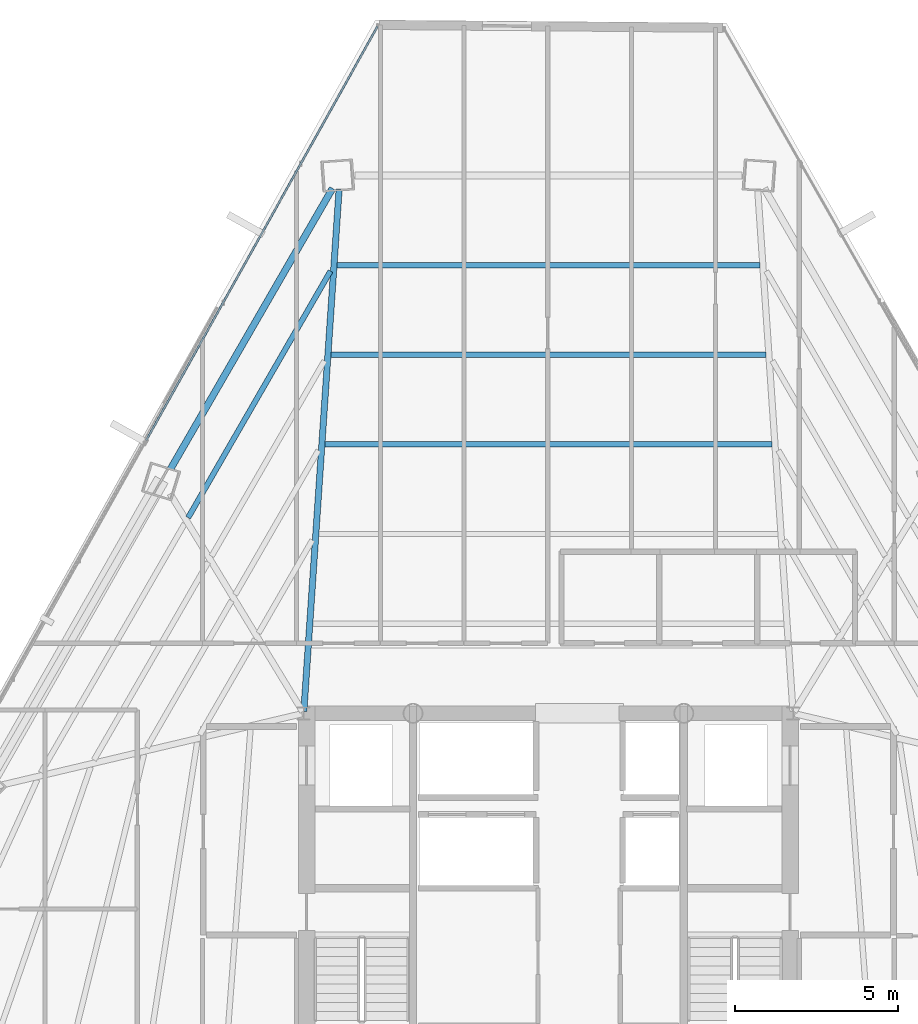
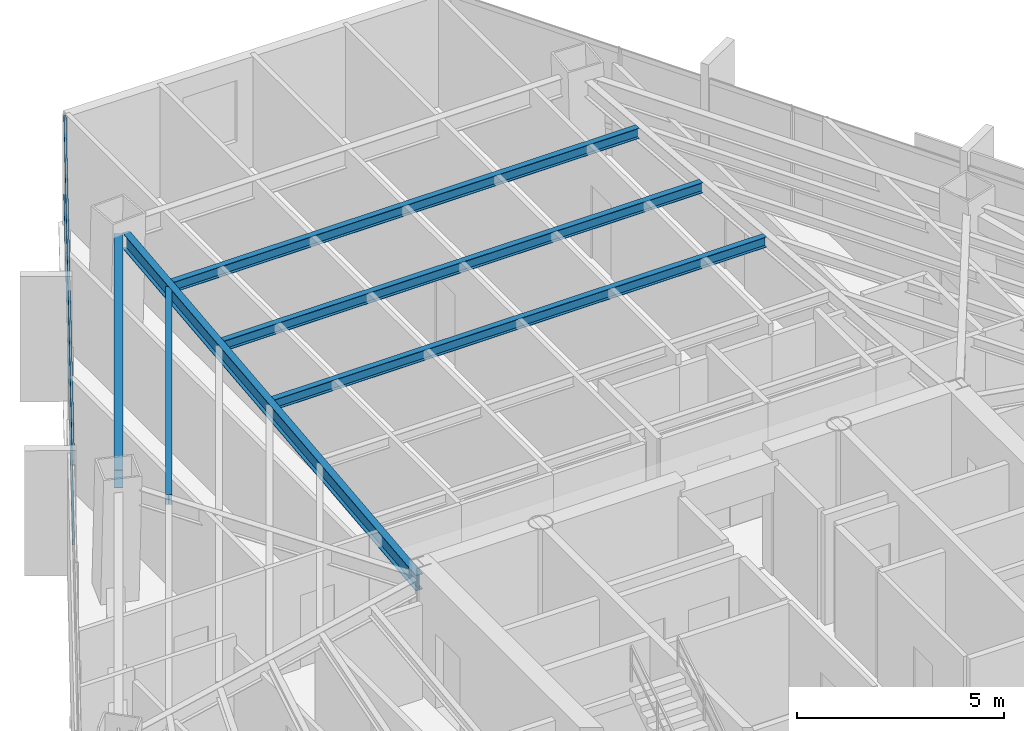
# One storey, part 27 of 40: 6 beams, 2 members, 1 element without a shape of its own.
"""IFC4 building model written with IfcOpenShell, lengths in metres."""

from ifc_helpers import new_model, si_unit, direction, frame, origin, origin_2d, place, context, subcontext, project, spatial, hollow_rectangle, i_section, extrude, source, transform, mapped, material, material_profile, profile_set, type_object, type_shapes, element, aggregate, save


model = new_model("IFC4")

# Units and contexts
model_context = context("Model", 3, precision=1e-05, world=origin(), true_north=direction((0.0, 1.0)))
body_context = subcontext(model_context, "Body", "Model", "MODEL_VIEW")
ifc_project = project(units=[si_unit("LENGTHUNIT", "METRE"), si_unit("AREAUNIT", "SQUARE_METRE"), si_unit("VOLUMEUNIT", "CUBIC_METRE"), si_unit("PLANEANGLEUNIT", "RADIAN"), si_unit("MASSUNIT", "GRAM", prefix="KILO")], contexts=[model_context])

# Site, building, storey
site_placement = place(None, origin())
site = spatial("IfcSite", under=ifc_project, at=site_placement, CompositionType="ELEMENT")
building_placement = place(site_placement, origin())
building = spatial("IfcBuilding", under=site, at=building_placement, Name="Caelisora Broadcast Tower", CompositionType="ELEMENT")
storey_placement = place(building_placement, frame((0.0, 0.0, 146.39990234375)))
storey = spatial("IfcBuildingStorey", under=building, at=storey_placement, Name="L38", CompositionType="ELEMENT", Elevation=146.39990234375)

# Beams
ifc_material_1 = material(Name="Steel Grade 350 (AS/NZS 3679.1)", Category="steel")
ifc_material_profile_1 = material_profile(ifc_material_1, i_section(OverallWidth=0.208984375, OverallDepth=0.532958984375, WebThickness=0.01025390625, FlangeThickness=0.015625, at=origin_2d()), Name="Steel Grade 350 (AS/NZS 3679.1)")
ifc_profile_set_1 = profile_set([ifc_material_profile_1], Name="Steel Grade 350 (AS/NZS 3679.1)")
beam_type_1 = type_object("IfcBeamType", Name="PG05", PredefinedType="BEAM", material=ifc_profile_set_1)
shared_shape_1 = source(origin(), body_context, "Body", "SweptSolid", [
    extrude(i_section(OverallWidth=0.208984375, OverallDepth=0.532958984375, WebThickness=0.01025390625, FlangeThickness=0.015625, at=origin_2d()), origin(), (0.0, 0.0, 1.0), 9.93408203125),
])
type_shapes(beam_type_1, [shared_shape_1])
beam_1_placement = place(storey_placement, frame((31.383544921875, 46.089111328125, 2.983642578125), z_axis=(-0.499995463244, -0.866028023066, 0.0), x_axis=(0.866028023066, -0.499995463244, 0.0)))
element("IfcBeam", 1, at=beam_1_placement, inside=storey, type_object=beam_type_1, Name="L38 beam PG05", PredefinedType="BEAM", context=body_context, shape_type="MappedRepresentation", body=[
    mapped(shared_shape_1, transform((0.0, 0.0, 0.0), scale=1.0)),
])
ifc_material_profile_2 = material_profile(ifc_material_1, i_section(OverallWidth=0.19091796875, OverallDepth=0.46044921875, WebThickness=0.010009765625, FlangeThickness=0.01611328125, at=origin_2d()), Name="Steel Grade 350 (AS/NZS 3679.1)")
ifc_profile_set_2 = profile_set([ifc_material_profile_2], Name="Steel Grade 350 (AS/NZS 3679.1)")
beam_type_2 = type_object("IfcBeamType", Name="PG06", PredefinedType="BEAM", material=ifc_profile_set_2)
shared_shape_2 = source(origin(), body_context, "Body", "SweptSolid", [
    extrude(i_section(OverallWidth=0.19091796875, OverallDepth=0.46044921875, WebThickness=0.010009765625, FlangeThickness=0.01611328125, at=origin_2d()), origin(), (0.0, 0.0, 1.0), 16.045166015625),
])
type_shapes(beam_type_2, [shared_shape_2])
beam_2_placement = place(storey_placement, frame((30.50390625, 30.059814453125, 3.02001953125), z_axis=(0.067390524034, 0.997726674631, 0.0), x_axis=(-0.997726674631, 0.067390524034, 0.0)))
element("IfcBeam", 2, at=beam_2_placement, inside=storey, type_object=beam_type_2, Name="L38 beam PG06", PredefinedType="BEAM", context=body_context, shape_type="MappedRepresentation", body=[
    mapped(shared_shape_2, transform((0.0, 0.0, 0.0), scale=1.0)),
])
ifc_material_profile_3 = material_profile(ifc_material_1, i_section(OverallWidth=0.166015625, OverallDepth=0.30712890625, WebThickness=0.006591796875, FlangeThickness=0.01171875, at=origin_2d()), Name="Steel Grade 350 (AS/NZS 3679.1)")
ifc_profile_set_3 = profile_set([ifc_material_profile_3], Name="Steel Grade 350 (AS/NZS 3679.1)")
beam_type_3 = type_object("IfcBeamType", Name="SB03", PredefinedType="JOIST", material=ifc_profile_set_3)
shared_shape_3 = source(origin(), body_context, "Body", "SweptSolid", [
    extrude(i_section(OverallWidth=0.166015625, OverallDepth=0.30712890625, WebThickness=0.006591796875, FlangeThickness=0.01171875, at=origin_2d()), origin(), (0.0, 0.0, 1.0), 13.701171875),
])
beam_3_placement = place(storey_placement, frame((44.8505859375, 38.24365234375, 3.096435546875), z_axis=(-1.0, 0.0, 0.0), x_axis=(0.0, -1.0, 0.0)))
element("IfcBeam", 3, at=beam_3_placement, inside=storey, type_object=beam_type_3, Name="L38 beam SB03", PredefinedType="JOIST", context=body_context, shape_type="MappedRepresentation", body=[
    mapped(shared_shape_3, transform((0.0, 0.0, 0.0), scale=1.0)),
])
shared_shape_4 = source(origin(), body_context, "Body", "SweptSolid", [
    extrude(i_section(OverallWidth=0.166015625, OverallDepth=0.30712890625, WebThickness=0.006591796875, FlangeThickness=0.01171875, at=origin_2d()), origin(), (0.0, 0.0, 1.0), 13.330078125),
])
beam_4_placement = place(storey_placement, frame((44.6650390625, 40.99169921875, 3.096435546875), z_axis=(-1.0, 0.0, 0.0), x_axis=(0.0, -1.0, 0.0)))
element("IfcBeam", 4, at=beam_4_placement, inside=storey, type_object=beam_type_3, Name="L38 beam SB03", PredefinedType="JOIST", context=body_context, shape_type="MappedRepresentation", body=[
    mapped(shared_shape_4, transform((0.0, 0.0, 0.0), scale=1.0)),
])
shared_shape_5 = source(origin(), body_context, "Body", "SweptSolid", [
    extrude(i_section(OverallWidth=0.166015625, OverallDepth=0.30712890625, WebThickness=0.006591796875, FlangeThickness=0.01171875, at=origin_2d()), origin(), (0.0, 0.0, 1.0), 12.958984375),
])
beam_5_placement = place(storey_placement, frame((44.4794921875, 43.739501953125, 3.096435546875), z_axis=(-1.0, 0.0, 0.0), x_axis=(0.0, -1.0, 0.0)))
element("IfcBeam", 5, at=beam_5_placement, inside=storey, type_object=beam_type_3, Name="L38 beam SB03", PredefinedType="JOIST", context=body_context, shape_type="MappedRepresentation", body=[
    mapped(shared_shape_5, transform((0.0, 0.0, 0.0), scale=1.0)),
])
shared_shape_6 = source(origin(), body_context, "Body", "SweptSolid", [
    extrude(i_section(OverallWidth=0.166015625, OverallDepth=0.30712890625, WebThickness=0.006591796875, FlangeThickness=0.01171875, at=origin_2d()), origin(), (0.0, 0.0, 1.0), 8.7255859375),
])
type_shapes(beam_type_3, [shared_shape_3, shared_shape_4, shared_shape_5, shared_shape_6])
beam_6_placement = place(storey_placement, frame((31.321044921875, 43.554443359375, 3.096435546875), z_axis=(-0.499996946043, -0.86602716698, 0.0), x_axis=(0.86602716698, -0.499996946043, 0.0)))
element("IfcBeam", 6, at=beam_6_placement, inside=storey, type_object=beam_type_3, Name="L38 beam SB03", PredefinedType="JOIST", context=body_context, shape_type="MappedRepresentation", body=[
    mapped(shared_shape_6, transform((0.0, 0.0, 0.0), scale=1.0)),
])

# Curtain wall, members
ifc_material_2 = material(Name="Unitised Aluminium and Low-E Glass Curtain Wall", Category="glass")
curtain_wall_type = type_object("IfcCurtainWallType", Name="CW-Z3", PredefinedType="NOTDEFINED", material=ifc_material_2)
curtain_wall_placement = place(storey_placement, origin())
curtain_wall = element("IfcCurtainWall", 7, at=curtain_wall_placement, inside=storey, type_object=curtain_wall_type, Name="L38 curtain wall CW-Z3", PredefinedType="NOTDEFINED")
ifc_material_3 = material(Name="Aluminium 6063-T6 Anodised Terracotta Bronze", Category="aluminium")
ifc_material_profile_4 = material_profile(ifc_material_3, hollow_rectangle(XDim=0.06005859375, YDim=0.14990234375, WallThickness=0.00341796875, at=origin_2d()), Name="Aluminium 6063-T6 Anodised Terracotta Bronze")
ifc_profile_set_4 = profile_set([ifc_material_profile_4], Name="Aluminium 6063-T6 Anodised Terracotta Bronze")
member_type = type_object("IfcMemberType", Name="CWT-02", PredefinedType="USERDEFINED", material=ifc_profile_set_4)
shared_shape_7 = source(origin(), body_context, "Body", "SweptSolid", [
    extrude(hollow_rectangle(XDim=0.06005859375, YDim=0.14990234375, WallThickness=0.00341796875, at=origin_2d()), origin(), (0.0, 0.0, 1.0), 14.537109375),
])
type_shapes(member_type, [shared_shape_7])
member_1_placement = place(storey_placement, frame((25.671142578125, 38.36572265625, 0.85009765625), z_axis=(0.487754732871, 0.872980710304, 0.0), x_axis=(-0.872980710304, 0.487754732871, 0.0)))
member_1 = element("IfcMember", 8, at=member_1_placement, type_object=member_type, Name="L38-CW-B11 transom #1", ObjectType="TRANSOM", PredefinedType="USERDEFINED", context=body_context, shape_type="MappedRepresentation", body=[
    mapped(shared_shape_7, transform((0.0, 0.0, 0.0), scale=1.0)),
])
member_2_placement = place(storey_placement, frame((25.671142578125, 38.36572265625, 3.170166015625), z_axis=(0.487754732871, 0.872980710304, 0.0), x_axis=(-0.872980710304, 0.487754732871, 0.0)))
member_2 = element("IfcMember", 9, at=member_2_placement, type_object=member_type, Name="L38-CW-B11 transom #2", ObjectType="TRANSOM", PredefinedType="USERDEFINED", context=body_context, shape_type="MappedRepresentation", body=[
    mapped(shared_shape_7, transform((0.0, 0.0, 0.0), scale=1.0)),
])
aggregate(curtain_wall, [member_1, member_2])

save(model, "model.ifc")
